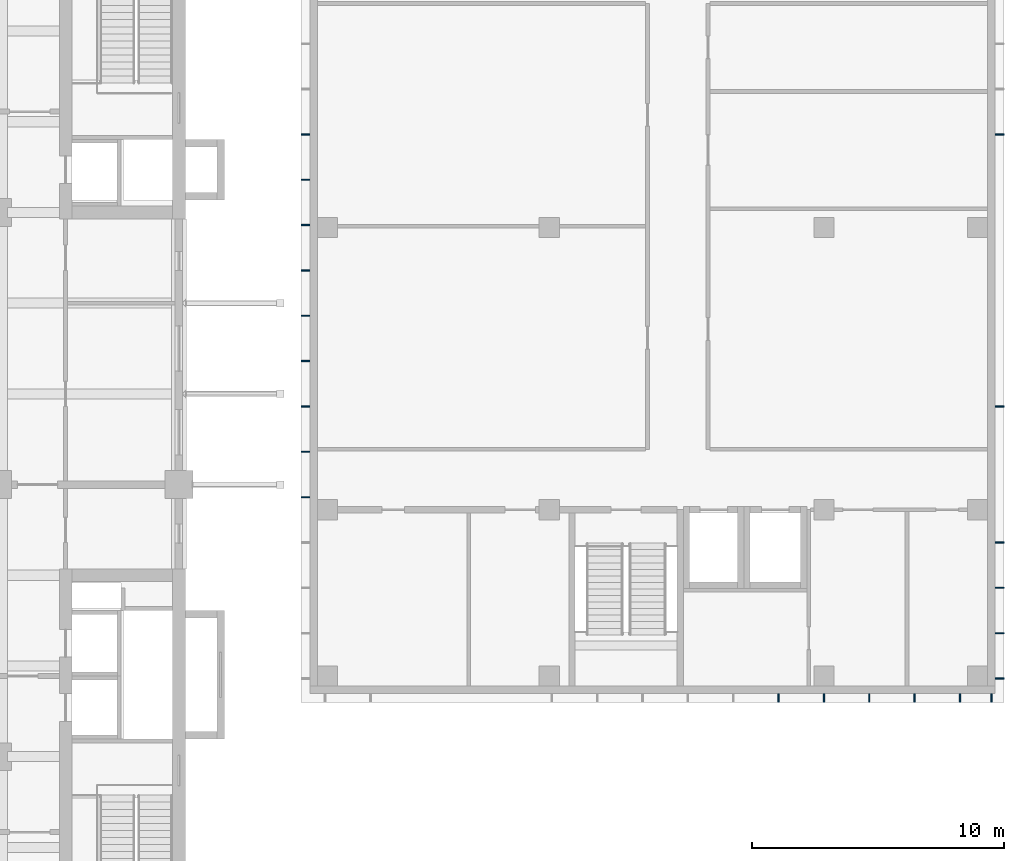
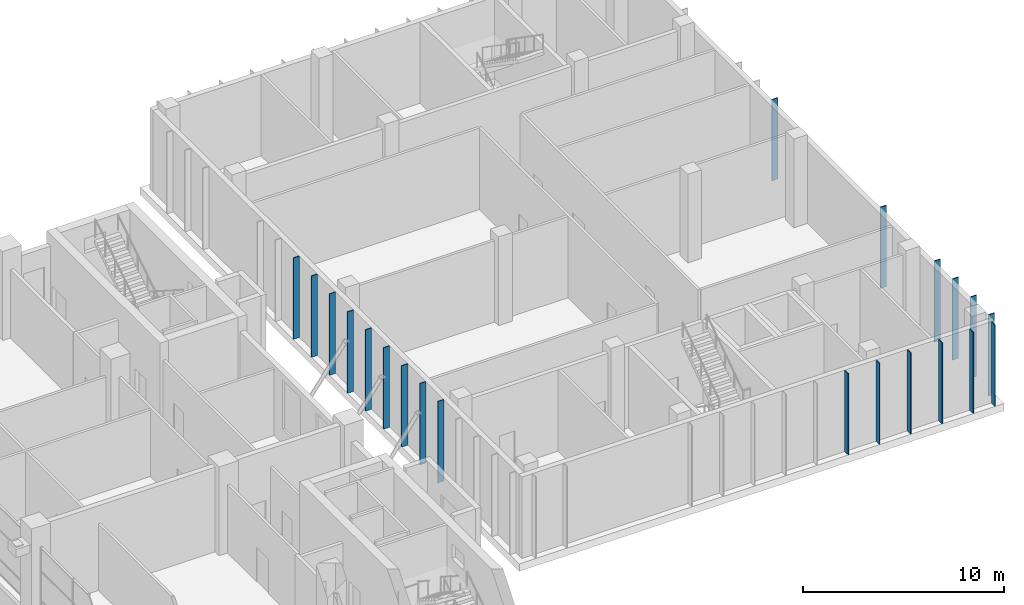
# One storey, part 10 of 38: 21 members.
"""IFC4 building model written with IfcOpenShell, lengths in metres."""

import ifcopenshell
import ifcopenshell.guid

model = None  # the IFC model being written
_history = None  # IfcOwnerHistory: only IFC2X3 demands one
_inside = {}  # id of a spatial element -> (the spatial element, [elements in it])
_under = {}  # id of a project, library or spatial element -> (it, [spatial elements below it])
_declared = {}  # id of a project -> (the project, [libraries it declares])
_typed = {}  # id of a type object -> (the type object, [elements of that type])
_made_of = {}  # id of a material, layer set ... -> (it, [elements and type objects made of it])


def new_model(schema):
    """Start an empty IFC model of exactly this schema.

    Asked for "IFC4X3", IfcOpenShell would pick the latest addendum, in which some entities
    have other attributes; the version numbers below select the first issue.
    IFC2X3 requires an IfcOwnerHistory on every rooted entity: one is made here for all.
    """
    global model, _history
    if schema == "IFC4X3":
        model = ifcopenshell.file(schema_version=(4, 3, 0, 0))
    else:
        model = ifcopenshell.file(schema=schema)
    _inside.clear()
    _under.clear()
    _declared.clear()
    _typed.clear()
    _made_of.clear()
    _history = None
    if model.schema == "IFC2X3":
        org = make("IfcOrganization", Name="unknown")
        user = make(
            "IfcPersonAndOrganization",
            ThePerson=make("IfcPerson", FamilyName="unknown"),
            TheOrganization=org,
        )
        app = make(
            "IfcApplication",
            ApplicationDeveloper=org,
            Version="unknown",
            ApplicationFullName="unknown",
            ApplicationIdentifier="unknown",
        )
        _history = make(
            "IfcOwnerHistory",
            OwningUser=user,
            OwningApplication=app,
            ChangeAction="ADDED",
            CreationDate=0,
        )
    return model


def make(cls, **values):
    """One entity of the class cls with the attributes given. An attribute that is None is left unset."""
    return model.create_entity(
        cls, **{name: value for name, value in values.items() if value is not None}
    )


def rooted(cls, **values):
    """An entity with a GlobalId (a new one), such as an element, a storey or a relation."""
    return make(cls, GlobalId=ifcopenshell.guid.new(), OwnerHistory=_history, **values)


def si_unit(unit_type, name, prefix=None):
    """IfcSIUnit, for example si_unit("LENGTHUNIT", "METRE", prefix="MILLI")."""
    return make("IfcSIUnit", UnitType=unit_type, Prefix=prefix, Name=name)


def assignment(units):
    """IfcUnitAssignment: the units of a project."""
    return None if units is None else make("IfcUnitAssignment", Units=units)


def point(xyz):
    """IfcCartesianPoint."""
    return None if xyz is None else make("IfcCartesianPoint", Coordinates=xyz)


def direction(xyz):
    """IfcDirection."""
    return None if xyz is None else make("IfcDirection", DirectionRatios=xyz)


def frame(location, z_axis=None, x_axis=None):
    """IfcAxis2Placement3D, a coordinate frame: its origin and axes. An axis left out is left unset."""
    return make(
        "IfcAxis2Placement3D",
        Location=point(location),
        Axis=direction(z_axis),
        RefDirection=direction(x_axis),
    )


def frame_2d(location, x_axis=None):
    """IfcAxis2Placement2D, a coordinate frame in the plane: its origin and x axis."""
    return make(
        "IfcAxis2Placement2D", Location=point(location), RefDirection=direction(x_axis)
    )


def origin():
    """The frame at (0, 0, 0) with its axes left unset."""
    return frame((0.0, 0.0, 0.0))


def origin_2d():
    """The frame at (0, 0) in the plane with its x axis left unset."""
    return frame_2d((0.0, 0.0))


def place(relative_to, where):
    """IfcLocalPlacement: puts the frame where relative to a parent placement (None: the world)."""
    return make(
        "IfcLocalPlacement", PlacementRelTo=relative_to, RelativePlacement=where
    )


def context(
    kind, dimensions, precision=None, world=None, true_north=None, identifier=None
):
    """IfcGeometricRepresentationContext, for example the 3D "Model" context."""
    return make(
        "IfcGeometricRepresentationContext",
        ContextIdentifier=identifier,
        ContextType=kind,
        CoordinateSpaceDimension=dimensions,
        Precision=precision,
        WorldCoordinateSystem=world,
        TrueNorth=true_north,
    )


def subcontext(parent, identifier, kind, view, scale=None):
    """IfcGeometricRepresentationSubContext, for example "Body" below "Model"."""
    return make(
        "IfcGeometricRepresentationSubContext",
        ContextIdentifier=identifier,
        ContextType=kind,
        ParentContext=parent,
        TargetScale=scale,
        TargetView=view,
    )


def project(units=None, contexts=None):
    """IfcProject with its units and contexts."""
    return rooted(
        "IfcProject",
        Name="project",
        RepresentationContexts=contexts,
        UnitsInContext=assignment(units),
    )


def spatial(cls, under=None, at=None, **own):
    """A site, building, storey or space (cls), placed at a placement, below another one or the project."""
    s = rooted(cls, ObjectPlacement=at, **own)
    if under is not None:
        _under.setdefault(under.id(), (under, []))[1].append(s)
    return s


def profile(cls, at=None, kind="AREA", **sizes):
    """A parametric profile (cls). Its sizes go by their IFC names, for example OverallWidth=200.0."""
    return make(cls, ProfileType=kind, Position=at, **sizes)


def rectangle(**sizes):
    """IfcRectangleProfileDef."""
    return profile("IfcRectangleProfileDef", **sizes)


def extrude(swept, where, along, depth):
    """IfcExtrudedAreaSolid: the profile swept, set in the frame where, extruded along a direction by depth."""
    return make(
        "IfcExtrudedAreaSolid",
        SweptArea=swept,
        Position=where,
        ExtrudedDirection=direction(along),
        Depth=depth,
    )


def shape(context_of_items, identifier, shape_type, items):
    """IfcShapeRepresentation: the items that make up one representation, for example the "Body"."""
    return make(
        "IfcShapeRepresentation",
        ContextOfItems=context_of_items,
        RepresentationIdentifier=identifier,
        RepresentationType=shape_type,
        Items=items,
    )


def material(Name=None, Category=None):
    """IfcMaterial."""
    return make("IfcMaterial", Name=Name, Category=Category)


def material_profile(
    of_material, cross_section, Name=None, Category=None, Priority=None
):
    """IfcMaterialProfile: a cross section and its material."""
    return make(
        "IfcMaterialProfile",
        Name=Name,
        Material=of_material,
        Profile=cross_section,
        Priority=Priority,
        Category=Category,
    )


def profile_set(profiles, Name=None, composite=None):
    """IfcMaterialProfileSet."""
    return make(
        "IfcMaterialProfileSet",
        Name=Name,
        MaterialProfiles=profiles,
        CompositeProfile=composite,
    )


def made_of(thing, what):
    """Note that an element or type object is made of a material, layer set ...; save() writes the relation."""
    if what is not None:
        _made_of.setdefault(what.id(), (what, []))[1].append(thing)
    return thing


def type_object(cls, material=None, **own):
    """A type object (cls), such as IfcWallType, which elements share."""
    return made_of(rooted(cls, **own), material)


def element(
    cls,
    number,
    at=None,
    inside=None,
    cuts=None,
    type_object=None,
    material=None,
    context=None,
    identifier="Body",
    shape_type=None,
    held_by="IfcProductDefinitionShape",
    body=None,
    shapes=None,
    **own,
):
    """One element of the class cls, such as IfcWall. Its Tag is "e" and its number.

    at: its placement. inside: the storey or other place that contains it. cuts: it is an
    opening in that element (IfcRelVoidsElement). A single representation is given by context,
    identifier, shape_type and body (its items); several are given by shapes. held_by: the class
    of the entity that holds the representations. save() writes the other relations.
    """
    e = rooted(cls, Tag="e%d" % number, ObjectPlacement=at, **own)
    if body is not None:
        shapes = [shape(context, identifier, shape_type, body)]
    if shapes is not None:
        e.Representation = make(held_by, Representations=shapes)
    if inside is not None:
        _inside.setdefault(inside.id(), (inside, []))[1].append(e)
    if cuts is not None:
        rooted(
            "IfcRelVoidsElement", RelatingBuildingElement=cuts, RelatedOpeningElement=e
        )
    if type_object is not None:
        _typed.setdefault(type_object.id(), (type_object, []))[1].append(e)
    return made_of(e, material)


def aggregate(whole, parts):
    """IfcRelAggregates: a whole, such as a stair, and the parts it consists of."""
    return rooted("IfcRelAggregates", RelatingObject=whole, RelatedObjects=parts)


def save(model, path):
    """Write the relations noted so far, then the file.

    IfcRelAggregates (storeys below a building ...), IfcRelContainedInSpatialStructure (elements
    in a storey), IfcRelDefinesByType, IfcRelAssociatesMaterial and IfcRelDeclares: one each for
    every whole, place, type object, material and project.
    """
    for whole, parts in _under.values():
        aggregate(whole, parts)
    for where, things in _inside.values():
        rooted(
            "IfcRelContainedInSpatialStructure",
            RelatedElements=things,
            RelatingStructure=where,
        )
    for kind, things in _typed.values():
        rooted("IfcRelDefinesByType", RelatedObjects=things, RelatingType=kind)
    for what, things in _made_of.values():
        rooted("IfcRelAssociatesMaterial", RelatedObjects=things, RelatingMaterial=what)
    for by, libraries in _declared.values():
        rooted("IfcRelDeclares", RelatingContext=by, RelatedDefinitions=libraries)
    model.write(path)


model = new_model("IFC4")

# Units and contexts
model_context = context("Model", 3, precision=1e-05, world=origin(), true_north=direction((0.0, 1.0)))
body_context = subcontext(model_context, "Body", "Model", "MODEL_VIEW")
ifc_project = project(units=[si_unit("LENGTHUNIT", "METRE"), si_unit("AREAUNIT", "SQUARE_METRE"), si_unit("VOLUMEUNIT", "CUBIC_METRE"), si_unit("PLANEANGLEUNIT", "RADIAN"), si_unit("MASSUNIT", "GRAM", prefix="KILO")], contexts=[model_context])

# Site, building, storey
site_placement = place(None, origin())
site = spatial("IfcSite", under=ifc_project, at=site_placement, CompositionType="ELEMENT")
building_placement = place(site_placement, origin())
building = spatial("IfcBuilding", under=site, at=building_placement, Name="Basin Gate Institute", CompositionType="ELEMENT")
storey_placement = place(building_placement, frame((0.0, 0.0, 16.800048828125)))
storey = spatial("IfcBuildingStorey", under=building, at=storey_placement, Name="L03", CompositionType="ELEMENT", Elevation=16.800048828125)

# Members
ifc_material = material(Name="Anodised aluminium", Category="aluminium")
ifc_material_profile = material_profile(ifc_material, rectangle(XDim=0.050048828125, YDim=0.35009765625, at=origin_2d()), Name="Louvre fin CF1 50 x 350")
ifc_profile_set = profile_set([ifc_material_profile], Name="Anodised aluminium")
member_type = type_object("IfcMemberType", Name="Louvre fin CF1", PredefinedType="PLATE", material=ifc_profile_set)
for number, where, z_axis, x_axis, name in (
    (1, (142.60009765625, 69.824951171875, 0.0), (0.0, 0.0, 1.0), (1.0, 0.0, 0.0), "Louvre fin CF1 S11 L03"),
    (2, (144.39990234375, 69.824951171875, 0.0), (0.0, 0.0, 1.0), (1.0, 0.0, 0.0), "Louvre fin CF1 S12 L03"),
    (3, (146.199951171875, 69.824951171875, 0.0), (0.0, 0.0, 1.0), (1.0, 0.0, 0.0), "Louvre fin CF1 S13 L03"),
    (4, (148.0, 69.824951171875, 0.0), (0.0, 0.0, 1.0), (1.0, 0.0, 0.0), "Louvre fin CF1 S14 L03"),
    (5, (149.800048828125, 69.824951171875, 0.0), (0.0, 0.0, 1.0), (1.0, 0.0, 0.0), "Louvre fin CF1 S15 L03"),
    (6, (151.050048828125, 69.824951171875, 0.0), (0.0, 0.0, 1.0), (1.0, 0.0, 0.0), "Louvre fin CF1 S16 L03"),
    (7, (123.824951171875, 77.800048828125, 0.0), (0.0, 0.0, 1.0), (0.0, 1.0, 0.0), "Louvre fin CF1 W5 L03"),
    (8, (123.824951171875, 79.60009765625, 0.0), (0.0, 0.0, 1.0), (0.0, 1.0, 0.0), "Louvre fin CF1 W6 L03"),
    (9, (123.824951171875, 81.39990234375, 0.0), (0.0, 0.0, 1.0), (0.0, 1.0, 0.0), "Louvre fin CF1 W7 L03"),
    (10, (123.824951171875, 83.199951171875, 0.0), (0.0, 0.0, 1.0), (0.0, 1.0, 0.0), "Louvre fin CF1 W8 L03"),
    (11, (123.824951171875, 85.0, 0.0), (0.0, 0.0, 1.0), (0.0, 1.0, 0.0), "Louvre fin CF1 W9 L03"),
    (12, (123.824951171875, 86.800048828125, 0.0), (0.0, 0.0, 1.0), (0.0, 1.0, 0.0), "Louvre fin CF1 W10 L03"),
    (13, (123.824951171875, 88.60009765625, 0.0), (0.0, 0.0, 1.0), (0.0, 1.0, 0.0), "Louvre fin CF1 W11 L03"),
    (14, (123.824951171875, 90.39990234375, 0.0), (0.0, 0.0, 1.0), (0.0, 1.0, 0.0), "Louvre fin CF1 W12 L03"),
    (15, (123.824951171875, 92.199951171875, 0.0), (0.0, 0.0, 1.0), (0.0, 1.0, 0.0), "Louvre fin CF1 W13 L03"),
    (16, (151.375, 70.60009765625, 0.0), (0.0, 0.0, 1.0), (0.0, 1.0, 0.0), "Louvre fin CF1 E1 L03"),
    (17, (151.375, 72.39990234375, 0.0), (0.0, 0.0, 1.0), (0.0, 1.0, 0.0), "Louvre fin CF1 E2 L03"),
    (18, (151.375, 74.199951171875, 0.0), (0.0, 0.0, 1.0), (0.0, 1.0, 0.0), "Louvre fin CF1 E3 L03"),
    (19, (151.375, 76.0, 0.0), (0.0, 0.0, 1.0), (0.0, 1.0, 0.0), "Louvre fin CF1 E4 L03"),
    (20, (151.375, 81.39990234375, 0.0), (0.0, 0.0, 1.0), (0.0, 1.0, 0.0), "Louvre fin CF1 E7 L03"),
    (21, (151.375, 92.199951171875, 0.0), (0.0, 0.0, 1.0), (0.0, 1.0, 0.0), "Louvre fin CF1 E13 L03"),
):
    element("IfcMember", number, at=place(storey_placement, frame(where, z_axis=z_axis, x_axis=x_axis)), inside=storey, type_object=member_type, material=ifc_profile_set, Name=name, PredefinedType="PLATE", context=body_context, shape_type="SweptSolid", body=[
        extrude(rectangle(XDim=0.050048828125, YDim=0.35009765625, at=origin_2d()), origin(), (0.0, 0.0, 1.0), 4.949951171875),
    ])

save(model, "model.ifc")
